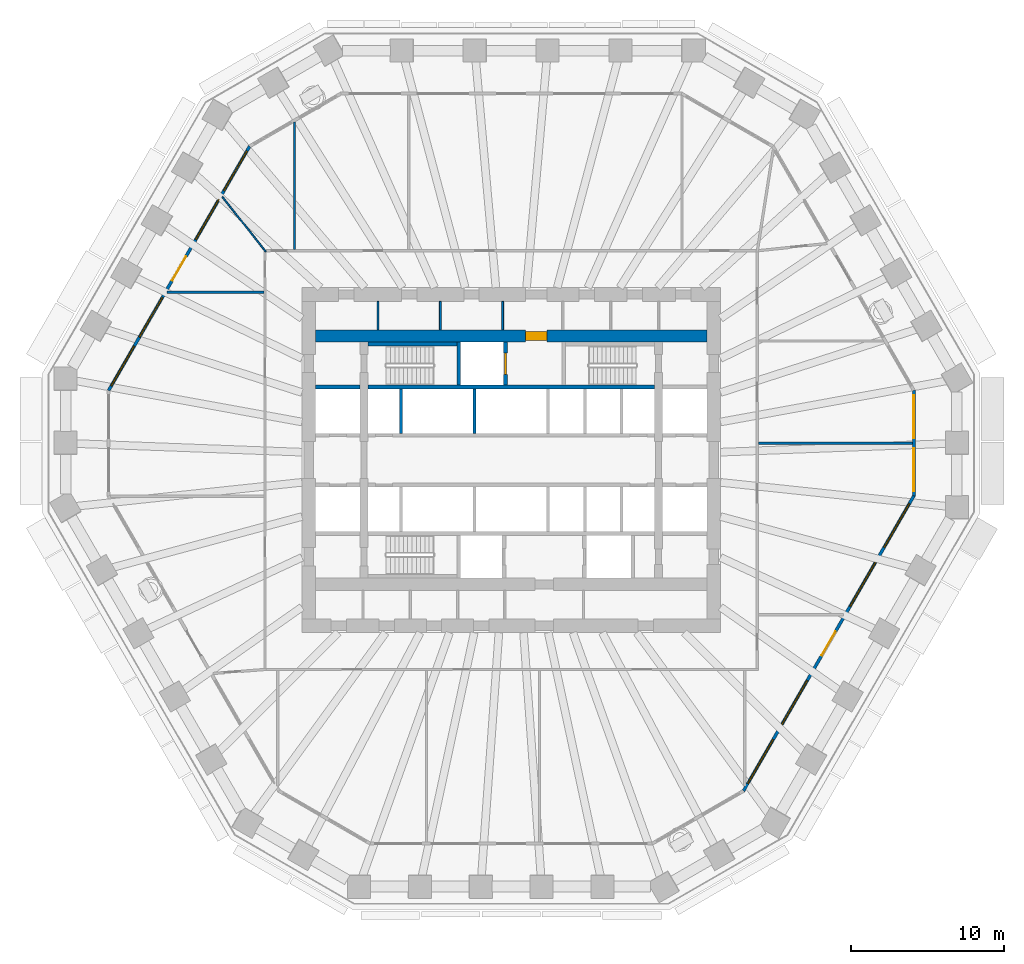
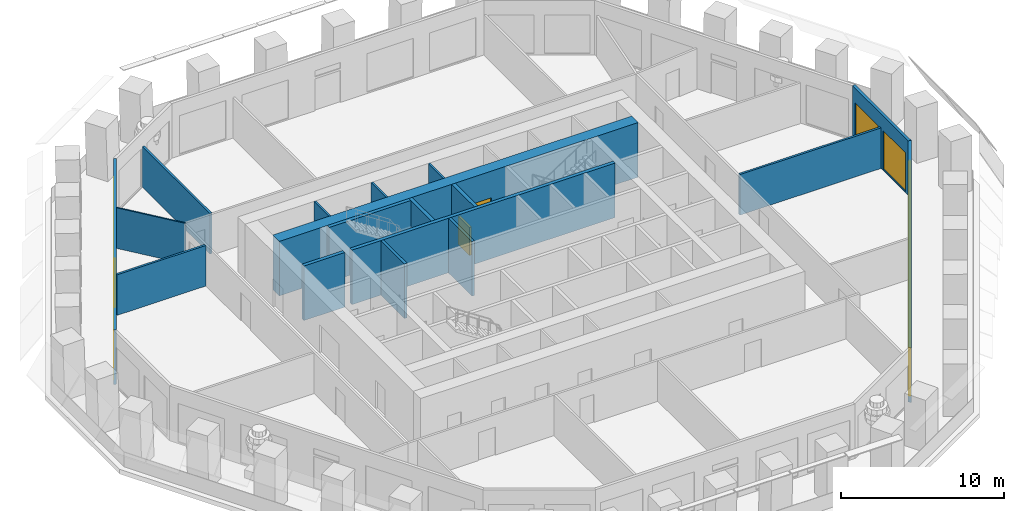
# One storey, part 6 of 12: 18 walls, 12 windows, 4 doors, 16 openings.
"""IFC4 building model written with IfcOpenShell, lengths in metres."""

import ifcopenshell
import ifcopenshell.guid

model = None  # the IFC model being written
_history = None  # IfcOwnerHistory: only IFC2X3 demands one
_inside = {}  # id of a spatial element -> (the spatial element, [elements in it])
_under = {}  # id of a project, library or spatial element -> (it, [spatial elements below it])
_declared = {}  # id of a project -> (the project, [libraries it declares])
_typed = {}  # id of a type object -> (the type object, [elements of that type])
_made_of = {}  # id of a material, layer set ... -> (it, [elements and type objects made of it])


def new_model(schema):
    """Start an empty IFC model of exactly this schema.

    Asked for "IFC4X3", IfcOpenShell would pick the latest addendum, in which some entities
    have other attributes; the version numbers below select the first issue.
    IFC2X3 requires an IfcOwnerHistory on every rooted entity: one is made here for all.
    """
    global model, _history
    if schema == "IFC4X3":
        model = ifcopenshell.file(schema_version=(4, 3, 0, 0))
    else:
        model = ifcopenshell.file(schema=schema)
    _inside.clear()
    _under.clear()
    _declared.clear()
    _typed.clear()
    _made_of.clear()
    _history = None
    if model.schema == "IFC2X3":
        org = make("IfcOrganization", Name="unknown")
        user = make(
            "IfcPersonAndOrganization",
            ThePerson=make("IfcPerson", FamilyName="unknown"),
            TheOrganization=org,
        )
        app = make(
            "IfcApplication",
            ApplicationDeveloper=org,
            Version="unknown",
            ApplicationFullName="unknown",
            ApplicationIdentifier="unknown",
        )
        _history = make(
            "IfcOwnerHistory",
            OwningUser=user,
            OwningApplication=app,
            ChangeAction="ADDED",
            CreationDate=0,
        )
    return model


def make(cls, **values):
    """One entity of the class cls with the attributes given. An attribute that is None is left unset."""
    return model.create_entity(
        cls, **{name: value for name, value in values.items() if value is not None}
    )


def rooted(cls, **values):
    """An entity with a GlobalId (a new one), such as an element, a storey or a relation."""
    return make(cls, GlobalId=ifcopenshell.guid.new(), OwnerHistory=_history, **values)


def si_unit(unit_type, name, prefix=None):
    """IfcSIUnit, for example si_unit("LENGTHUNIT", "METRE", prefix="MILLI")."""
    return make("IfcSIUnit", UnitType=unit_type, Prefix=prefix, Name=name)


def assignment(units):
    """IfcUnitAssignment: the units of a project."""
    return None if units is None else make("IfcUnitAssignment", Units=units)


def point(xyz):
    """IfcCartesianPoint."""
    return None if xyz is None else make("IfcCartesianPoint", Coordinates=xyz)


def direction(xyz):
    """IfcDirection."""
    return None if xyz is None else make("IfcDirection", DirectionRatios=xyz)


def frame(location, z_axis=None, x_axis=None):
    """IfcAxis2Placement3D, a coordinate frame: its origin and axes. An axis left out is left unset."""
    return make(
        "IfcAxis2Placement3D",
        Location=point(location),
        Axis=direction(z_axis),
        RefDirection=direction(x_axis),
    )


def frame_2d(location, x_axis=None):
    """IfcAxis2Placement2D, a coordinate frame in the plane: its origin and x axis."""
    return make(
        "IfcAxis2Placement2D", Location=point(location), RefDirection=direction(x_axis)
    )


def origin():
    """The frame at (0, 0, 0) with its axes left unset."""
    return frame((0.0, 0.0, 0.0))


def place(relative_to, where):
    """IfcLocalPlacement: puts the frame where relative to a parent placement (None: the world)."""
    return make(
        "IfcLocalPlacement", PlacementRelTo=relative_to, RelativePlacement=where
    )


def context(
    kind, dimensions, precision=None, world=None, true_north=None, identifier=None
):
    """IfcGeometricRepresentationContext, for example the 3D "Model" context."""
    return make(
        "IfcGeometricRepresentationContext",
        ContextIdentifier=identifier,
        ContextType=kind,
        CoordinateSpaceDimension=dimensions,
        Precision=precision,
        WorldCoordinateSystem=world,
        TrueNorth=true_north,
    )


def subcontext(parent, identifier, kind, view, scale=None):
    """IfcGeometricRepresentationSubContext, for example "Body" below "Model"."""
    return make(
        "IfcGeometricRepresentationSubContext",
        ContextIdentifier=identifier,
        ContextType=kind,
        ParentContext=parent,
        TargetScale=scale,
        TargetView=view,
    )


def project(units=None, contexts=None):
    """IfcProject with its units and contexts."""
    return rooted(
        "IfcProject",
        Name="project",
        RepresentationContexts=contexts,
        UnitsInContext=assignment(units),
    )


def spatial(cls, under=None, at=None, **own):
    """A site, building, storey or space (cls), placed at a placement, below another one or the project."""
    s = rooted(cls, ObjectPlacement=at, **own)
    if under is not None:
        _under.setdefault(under.id(), (under, []))[1].append(s)
    return s


def polyline(points):
    """IfcPolyline through the points."""
    return make("IfcPolyline", Points=[point(p) for p in points])


def profile(cls, at=None, kind="AREA", **sizes):
    """A parametric profile (cls). Its sizes go by their IFC names, for example OverallWidth=200.0."""
    return make(cls, ProfileType=kind, Position=at, **sizes)


def rectangle(**sizes):
    """IfcRectangleProfileDef."""
    return profile("IfcRectangleProfileDef", **sizes)


def outline(outer, holes=None, kind="AREA"):
    """IfcArbitraryClosedProfileDef: a profile drawn as a closed curve; with holes, ...WithVoids."""
    if holes is None:
        return make("IfcArbitraryClosedProfileDef", ProfileType=kind, OuterCurve=outer)
    return make(
        "IfcArbitraryProfileDefWithVoids",
        ProfileType=kind,
        OuterCurve=outer,
        InnerCurves=holes,
    )


def extrude(swept, where, along, depth):
    """IfcExtrudedAreaSolid: the profile swept, set in the frame where, extruded along a direction by depth."""
    return make(
        "IfcExtrudedAreaSolid",
        SweptArea=swept,
        Position=where,
        ExtrudedDirection=direction(along),
        Depth=depth,
    )


def shape(context_of_items, identifier, shape_type, items):
    """IfcShapeRepresentation: the items that make up one representation, for example the "Body"."""
    return make(
        "IfcShapeRepresentation",
        ContextOfItems=context_of_items,
        RepresentationIdentifier=identifier,
        RepresentationType=shape_type,
        Items=items,
    )


def material(Name=None, Category=None):
    """IfcMaterial."""
    return make("IfcMaterial", Name=Name, Category=Category)


def layer(
    of_material, thickness, ventilated=None, Name=None, Category=None, Priority=None
):
    """IfcMaterialLayer: one layer of a wall or slab, of a material (None: an air gap)."""
    return make(
        "IfcMaterialLayer",
        Material=of_material,
        LayerThickness=thickness,
        IsVentilated=ventilated,
        Name=Name,
        Category=Category,
        Priority=Priority,
    )


def layer_set(layers, Name=None):
    """IfcMaterialLayerSet."""
    return make("IfcMaterialLayerSet", MaterialLayers=layers, LayerSetName=Name)


def made_of(thing, what):
    """Note that an element or type object is made of a material, layer set ...; save() writes the relation."""
    if what is not None:
        _made_of.setdefault(what.id(), (what, []))[1].append(thing)
    return thing


def type_object(cls, material=None, **own):
    """A type object (cls), such as IfcWallType, which elements share."""
    return made_of(rooted(cls, **own), material)


def element(
    cls,
    number,
    at=None,
    inside=None,
    cuts=None,
    type_object=None,
    material=None,
    context=None,
    identifier="Body",
    shape_type=None,
    held_by="IfcProductDefinitionShape",
    body=None,
    shapes=None,
    **own,
):
    """One element of the class cls, such as IfcWall. Its Tag is "e" and its number.

    at: its placement. inside: the storey or other place that contains it. cuts: it is an
    opening in that element (IfcRelVoidsElement). A single representation is given by context,
    identifier, shape_type and body (its items); several are given by shapes. held_by: the class
    of the entity that holds the representations. save() writes the other relations.
    """
    e = rooted(cls, Tag="e%d" % number, ObjectPlacement=at, **own)
    if body is not None:
        shapes = [shape(context, identifier, shape_type, body)]
    if shapes is not None:
        e.Representation = make(held_by, Representations=shapes)
    if inside is not None:
        _inside.setdefault(inside.id(), (inside, []))[1].append(e)
    if cuts is not None:
        rooted(
            "IfcRelVoidsElement", RelatingBuildingElement=cuts, RelatedOpeningElement=e
        )
    if type_object is not None:
        _typed.setdefault(type_object.id(), (type_object, []))[1].append(e)
    return made_of(e, material)


def fill(opening, filler):
    """IfcRelFillsElement: the door or window that sits in an opening."""
    return rooted(
        "IfcRelFillsElement",
        RelatingOpeningElement=opening,
        RelatedBuildingElement=filler,
    )


def aggregate(whole, parts):
    """IfcRelAggregates: a whole, such as a stair, and the parts it consists of."""
    return rooted("IfcRelAggregates", RelatingObject=whole, RelatedObjects=parts)


def save(model, path):
    """Write the relations noted so far, then the file.

    IfcRelAggregates (storeys below a building ...), IfcRelContainedInSpatialStructure (elements
    in a storey), IfcRelDefinesByType, IfcRelAssociatesMaterial and IfcRelDeclares: one each for
    every whole, place, type object, material and project.
    """
    for whole, parts in _under.values():
        aggregate(whole, parts)
    for where, things in _inside.values():
        rooted(
            "IfcRelContainedInSpatialStructure",
            RelatedElements=things,
            RelatingStructure=where,
        )
    for kind, things in _typed.values():
        rooted("IfcRelDefinesByType", RelatedObjects=things, RelatingType=kind)
    for what, things in _made_of.values():
        rooted("IfcRelAssociatesMaterial", RelatedObjects=things, RelatingMaterial=what)
    for by, libraries in _declared.values():
        rooted("IfcRelDeclares", RelatingContext=by, RelatedDefinitions=libraries)
    model.write(path)


model = new_model("IFC4")

# Units and contexts
model_context = context("Model", 3, precision=1e-05, world=origin(), true_north=direction((0.0, 1.0)))
body_context = subcontext(model_context, "Body", "Model", "MODEL_VIEW")
ifc_project = project(units=[si_unit("LENGTHUNIT", "METRE"), si_unit("AREAUNIT", "SQUARE_METRE"), si_unit("VOLUMEUNIT", "CUBIC_METRE"), si_unit("PLANEANGLEUNIT", "RADIAN"), si_unit("MASSUNIT", "GRAM", prefix="KILO")], contexts=[model_context])

# Site, building, storey
site_placement = place(None, origin())
site = spatial("IfcSite", under=ifc_project, at=site_placement, CompositionType="ELEMENT")
building_placement = place(site_placement, origin())
building = spatial("IfcBuilding", under=site, at=building_placement, Name="Frailejon Research Tower", CompositionType="ELEMENT")
storey_placement = place(building_placement, frame((0.0, 0.0, 49.800048828125)))
storey = spatial("IfcBuildingStorey", under=building, at=storey_placement, Name="L11", CompositionType="ELEMENT", Elevation=49.800048828125)

# Walls
ifc_material_1 = material(Name="Plasterboard on steel studs", Category="steel")
ifc_layer_1 = layer(ifc_material_1, 0.125)
ifc_layer_set_1 = layer_set([ifc_layer_1], Name="Core partition 125")
wall_type_1 = type_object("IfcWallType", Name="Core partition 125", PredefinedType="PARTITIONING", material=ifc_layer_set_1)
for number, where, z_axis, x_axis, name in (
    (1, (-8.6875, 8.5, 0.0), (0.0, 0.0, 1.0), (0.0, 1.0, 0.0), "Core partition"),
    (2, (-4.625, 8.5, 0.0), (0.0, 0.0, 1.0), (0.0, 1.0, 0.0), "Core partition"),
    (3, (-0.5625, 8.5, 0.0), (0.0, 0.0, 1.0), (0.0, 1.0, 0.0), "Core partition"),
):
    element("IfcWall", number, at=place(storey_placement, frame(where, z_axis=z_axis, x_axis=x_axis)), inside=storey, type_object=wall_type_1, Name=name, PredefinedType="PARTITIONING", context=body_context, shape_type="SweptSolid", body=[
        extrude(rectangle(XDim=1.85009765625, YDim=0.125, at=frame_2d((0.925048828125, 0.0))), origin(), (0.0, 0.0, 1.0), 4.099853515625),
    ])

# Wall, opening, door
ifc_material_2 = material(Name="Concrete C70/85", Category="concrete")
ifc_layer_2 = layer(ifc_material_2, 0.800048828125)
ifc_layer_set_2 = layer_set([ifc_layer_2], Name="Core shear wall 800 C70/85")
wall_type_2 = type_object("IfcWallType", Name="Core shear wall 800 C70/85", PredefinedType="SHEAR", material=ifc_layer_set_2)
wall_1_placement = place(storey_placement, frame((-12.75, 8.10009765625, 0.0), z_axis=(0.0, 0.0, 1.0), x_axis=(1.0, 0.0, 0.0)))
wall_1 = element("IfcWall", 4, at=wall_1_placement, inside=storey, type_object=wall_type_2, Name="Core shear wall", PredefinedType="SHEAR", context=body_context, shape_type="SweptSolid", body=[
    extrude(rectangle(XDim=25.5, YDim=0.800048828125, at=frame_2d((12.75, 0.0))), origin(), (0.0, 0.0, 1.0), 4.099853515625),
])
opening_1_placement = place(wall_1_placement, frame((13.675048828125, 0.0, 0.0)))
opening_1 = element("IfcOpeningElement", 5, at=opening_1_placement, cuts=wall_1, Name="Opening D9", PredefinedType="OPENING", context=body_context, shape_type="SweptSolid", body=[
    extrude(rectangle(XDim=1.39990234375, YDim=2.10009765625, at=frame_2d((0.699951171875, 1.050048828125))), frame((0.0, 0.409912109375, 0.0), z_axis=(0.0, -1.0, 0.0), x_axis=(1.0, 0.0, 0.0)), (0.0, 0.0, 1.0), 0.820068359375),
])
ifc_material_3 = material(Name="Steel", Category="steel")
door_type_1 = type_object("IfcDoorType", Name="Goods lobby door", OperationType="DOUBLE_DOOR_SINGLE_SWING", PredefinedType="DOOR", material=ifc_material_3)
door_1_placement = place(opening_1_placement, origin())
door_1 = element("IfcDoor", 6, at=door_1_placement, inside=storey, type_object=door_type_1, Name="Goods lobby door", OperationType="DOUBLE_DOOR_SINGLE_SWING", OverallHeight=2.10009765625, OverallWidth=1.39990234375, PredefinedType="DOOR", context=body_context, shape_type="SweptSolid", body=[
    extrude(rectangle(XDim=1.39990234375, YDim=2.10009765625, at=frame_2d((0.699951171875, 1.050048828125))), frame((0.0, 0.300048828125, 0.0), z_axis=(0.0, -1.0, 0.0), x_axis=(1.0, 0.0, 0.0)), (0.0, 0.0, 1.0), 0.60009765625),
])
fill(opening_1, door_1)

# Walls
ifc_material_4 = material(Name="Gypsum board and masonry partition", Category="masonry")
ifc_layer_3 = layer(ifc_material_4, 0.14990234375)
ifc_layer_set_3 = layer_set([ifc_layer_3], Name="Laboratory partition, blockwork 150")
wall_type_3 = type_object("IfcWallType", Name="Laboratory partition, blockwork 150", PredefinedType="PARTITIONING", material=ifc_layer_set_3)
wall_2_placement = place(storey_placement, frame((16.125, 1.106201171875, 0.0), z_axis=(0.0, 0.0, 1.0), x_axis=(1.0, 0.0, 0.0)))
element("IfcWall", 7, at=wall_2_placement, inside=storey, type_object=wall_type_3, Name="T:IW:L11:006", PredefinedType="PARTITIONING", context=body_context, shape_type="SweptSolid", body=[
    extrude(rectangle(XDim=10.026611328125, YDim=0.14990234375, at=frame_2d((5.01318359375, 0.0))), origin(), (0.0, 0.0, 1.0), 3.050048828125),
])
wall_3_placement = place(storey_placement, frame((-14.1337890625, 13.72509765625, 0.0), z_axis=(0.0, 0.0, 1.0), x_axis=(0.0, 1.0, 0.0)))
element("IfcWall", 8, at=wall_3_placement, inside=storey, type_object=wall_type_3, Name="T:IW:L11:011", PredefinedType="PARTITIONING", context=body_context, shape_type="SweptSolid", body=[
    extrude(rectangle(XDim=8.31201171875, YDim=0.14990234375, at=frame_2d((4.156005859375, 0.0))), origin(), (0.0, 0.0, 1.0), 3.050048828125),
])
wall_4_placement = place(storey_placement, frame((-22.433349609375, 10.95654296875, 0.0), z_axis=(0.0, 0.0, 1.0), x_axis=(1.0, 0.0, 0.0)))
element("IfcWall", 9, at=wall_4_placement, inside=storey, type_object=wall_type_3, Name="T:IW:L11:012", PredefinedType="PARTITIONING", context=body_context, shape_type="SweptSolid", body=[
    extrude(rectangle(XDim=6.308349609375, YDim=0.14990234375, at=frame_2d((3.154296875, 0.0))), origin(), (0.0, 0.0, 1.0), 3.050048828125),
])
ifc_material_5 = material(Name="Gypsum board and masonry partition", Category="masonry")
ifc_layer_4 = layer(ifc_material_5, 0.10009765625)
ifc_layer_set_4 = layer_set([ifc_layer_4], Name="Partition, gypsum on steel studs 100")
wall_type_4 = type_object("IfcWallType", Name="Partition, gypsum on steel studs 100", PredefinedType="PARTITIONING", material=ifc_layer_set_4)
wall_5_placement = place(storey_placement, frame((-18.84375, 17.17431640625, 0.0), z_axis=(0.0, 0.0, 1.0), x_axis=(0.621211587881, -0.783642879813, 0.0)))
element("IfcWall", 10, at=wall_5_placement, inside=storey, type_object=wall_type_4, Name="T:IW:L11:020", PredefinedType="PARTITIONING", context=body_context, shape_type="SweptSolid", body=[
    extrude(rectangle(XDim=4.572265625, YDim=0.10009765625, at=frame_2d((2.2861328125, 0.0))), origin(), (0.0, 0.0, 1.0), 3.050048828125),
])
ifc_material_6 = material(Name="Concrete C70/85", Category="concrete")
ifc_layer_5 = layer(ifc_material_6, 0.199951171875)
ifc_layer_set_5 = layer_set([ifc_layer_5], Name="Shaft wall 200 C70/85")
wall_type_5 = type_object("IfcWallType", Name="Shaft wall 200 C70/85", PredefinedType="SOLIDWALL", material=ifc_layer_set_5)
for number, where, z_axis, x_axis, name in (
    (11, (-7.199951171875, 1.75, 0.0), (0.0, 0.0, 1.0), (0.0, 1.0, 0.0), "Shaft wall"),
    (12, (-2.39990234375, 1.75, 0.0), (0.0, 0.0, 1.0), (0.0, 1.0, 0.0), "Shaft wall"),
):
    element("IfcWall", number, at=place(storey_placement, frame(where, z_axis=z_axis, x_axis=x_axis)), inside=storey, type_object=wall_type_5, Name=name, PredefinedType="SOLIDWALL", context=body_context, shape_type="SweptSolid", body=[
        extrude(rectangle(XDim=2.89990234375, YDim=0.199951171875, at=frame_2d((1.449951171875, 0.0))), origin(), (0.0, 0.0, 1.0), 4.099853515625),
    ])
ifc_material_7 = material(Name="Concrete C70/85", Category="concrete")
ifc_layer_6 = layer(ifc_material_7, 0.25)
ifc_layer_set_6 = layer_set([ifc_layer_6], Name="Shaft wall 250 C70/85")
wall_type_6 = type_object("IfcWallType", Name="Shaft wall 250 C70/85", PredefinedType="SOLIDWALL", material=ifc_layer_set_6)
wall_6_placement = place(storey_placement, frame((-12.75, 4.77490234375, 0.0), z_axis=(0.0, 0.0, 1.0), x_axis=(1.0, 0.0, 0.0)))
element("IfcWall", 13, at=wall_6_placement, inside=storey, type_object=wall_type_6, Name="Shaft wall", PredefinedType="SOLIDWALL", context=body_context, shape_type="SweptSolid", body=[
    extrude(rectangle(XDim=2.89990234375, YDim=0.25, at=frame_2d((1.449951171875, 0.0))), origin(), (0.0, 0.0, 1.0), 4.099853515625),
])
wall_7_placement = place(storey_placement, frame((-9.35009765625, 4.77490234375, 0.0), z_axis=(0.0, 0.0, 1.0), x_axis=(1.0, 0.0, 0.0)))
element("IfcWall", 14, at=wall_7_placement, inside=storey, type_object=wall_type_6, Name="Shaft wall", PredefinedType="SOLIDWALL", context=body_context, shape_type="SweptSolid", body=[
    extrude(rectangle(XDim=18.7001953125, YDim=0.25, at=frame_2d((9.35009765625, 0.0))), origin(), (0.0, 0.0, 1.0), 4.099853515625),
])
wall_8_placement = place(storey_placement, frame((-9.35009765625, 7.574951171875, 0.0), z_axis=(0.0, 0.0, 1.0), x_axis=(1.0, 0.0, 0.0)))
element("IfcWall", 15, at=wall_8_placement, inside=storey, type_object=wall_type_6, Name="Shaft wall", PredefinedType="SOLIDWALL", context=body_context, shape_type="SweptSolid", body=[
    extrude(rectangle(XDim=5.800048828125, YDim=0.25, at=frame_2d((2.89990234375, 0.0))), origin(), (0.0, 0.0, 1.0), 4.099853515625),
])
wall_9_placement = place(storey_placement, frame((-3.425048828125, 4.89990234375, 0.0), z_axis=(0.0, 0.0, 1.0), x_axis=(0.0, 1.0, 0.0)))
element("IfcWall", 16, at=wall_9_placement, inside=storey, type_object=wall_type_6, Name="Shaft wall", PredefinedType="SOLIDWALL", context=body_context, shape_type="SweptSolid", body=[
    extrude(rectangle(XDim=2.800048828125, YDim=0.25, at=frame_2d((1.39990234375, 0.0))), origin(), (0.0, 0.0, 1.0), 4.099853515625),
])

# Wall, opening, door
wall_10_placement = place(storey_placement, frame((-0.375, 4.89990234375, 0.0), z_axis=(0.0, 0.0, 1.0), x_axis=(0.0, 1.0, 0.0)))
wall_10 = element("IfcWall", 17, at=wall_10_placement, inside=storey, type_object=wall_type_6, Name="Shaft wall", PredefinedType="SOLIDWALL", context=body_context, shape_type="SweptSolid", body=[
    extrude(rectangle(XDim=2.800048828125, YDim=0.25, at=frame_2d((1.39990234375, 0.0))), origin(), (0.0, 0.0, 1.0), 4.099853515625),
])
opening_2_placement = place(wall_10_placement, frame((0.699951171875, 0.0, 0.0)))
opening_2 = element("IfcOpeningElement", 18, at=opening_2_placement, cuts=wall_10, Name="Opening LD2", PredefinedType="OPENING", context=body_context, shape_type="SweptSolid", body=[
    extrude(rectangle(XDim=1.39990234375, YDim=2.10009765625, at=frame_2d((0.699951171875, 1.050048828125))), frame((0.0, 0.135009765625, 0.0), z_axis=(0.0, -1.0, 0.0), x_axis=(1.0, 0.0, 0.0)), (0.0, 0.0, 1.0), 0.27001953125),
])
ifc_material_8 = material(Name="Stainless steel", Category="steel")
door_type_2 = type_object("IfcDoorType", Name="Goods landing door", OperationType="DOUBLE_DOOR_SLIDING", PredefinedType="DOOR", material=ifc_material_8)
door_2_placement = place(opening_2_placement, origin())
door_2 = element("IfcDoor", 19, at=door_2_placement, inside=storey, type_object=door_type_2, Name="Lift landing door", OperationType="DOUBLE_DOOR_SLIDING", OverallHeight=2.10009765625, OverallWidth=1.39990234375, PredefinedType="DOOR", context=body_context, shape_type="SweptSolid", body=[
    extrude(rectangle(XDim=1.39990234375, YDim=2.10009765625, at=frame_2d((0.699951171875, 1.050048828125))), frame((0.0, 0.074951171875, 0.0), z_axis=(0.0, -1.0, 0.0), x_axis=(1.0, 0.0, 0.0)), (0.0, 0.0, 1.0), 0.14990234375),
])
fill(opening_2, door_2)

# Wall, openings, windows
ifc_material_9 = material(Name="Concrete C40/50 precast window wall panel", Category="concrete")
ifc_layer_7 = layer(ifc_material_9, 0.199951171875)
ifc_layer_set_7 = layer_set([ifc_layer_7], Name="Window wall 200")
wall_type_7 = type_object("IfcWallType", Name="Window wall 200", PredefinedType="SOLIDWALL", material=ifc_layer_set_7)
wall_11_placement = place(storey_placement, frame((26.25146484375, -2.3310546875, 0.0), z_axis=(0.0, 0.0, 1.0), x_axis=(0.0, 1.0, 0.0)))
wall_11 = element("IfcWall", 20, at=wall_11_placement, inside=storey, type_object=wall_type_7, Name="Exterior wall L11", PredefinedType="SOLIDWALL", context=body_context, shape_type="SweptSolid", body=[
    extrude(outline(polyline([(-0.02685546875, -0.10009765625), (1.1279296875, -0.10009765625), (2.282470703125, -0.10009765625), (3.437255859375, -0.10009765625), (4.592041015625, -0.10009765625), (5.74658203125, -0.10009765625), (6.9013671875, -0.10009765625), (6.84765625, 0.10009765625), (5.7109375, 0.10009765625), (4.573974609375, 0.10009765625), (3.437255859375, 0.10009765625), (2.300537109375, 0.10009765625), (1.16357421875, 0.10009765625), (0.02685546875, 0.10009765625), (-0.02685546875, -0.10009765625)])), origin(), (0.0, 0.0, 1.0), 4.099853515625),
])
opening_3_placement = place(wall_11_placement, frame((0.318603515625, 0.0, 0.10009765625)))
opening_3 = element("IfcOpeningElement", 21, at=opening_3_placement, cuts=wall_11, Name="Opening W3", PredefinedType="OPENING", context=body_context, shape_type="SweptSolid", body=[
    extrude(rectangle(XDim=2.800048828125, YDim=2.89990234375, at=frame_2d((1.39990234375, 1.449951171875))), frame((0.0, 0.10986328125, 0.0), z_axis=(0.0, -1.0, 0.0), x_axis=(1.0, 0.0, 0.0)), (0.0, 0.0, 1.0), 0.219970703125),
])
opening_4_placement = place(wall_11_placement, frame((3.756103515625, 0.0, 0.10009765625)))
opening_4 = element("IfcOpeningElement", 22, at=opening_4_placement, cuts=wall_11, Name="Opening W3", PredefinedType="OPENING", context=body_context, shape_type="SweptSolid", body=[
    extrude(rectangle(XDim=2.800048828125, YDim=2.89990234375, at=frame_2d((1.39990234375, 1.449951171875))), frame((0.0, 0.10986328125, 0.0), z_axis=(0.0, -1.0, 0.0), x_axis=(1.0, 0.0, 0.0)), (0.0, 0.0, 1.0), 0.219970703125),
])
ifc_material_10 = material(Name="Aluminium framed double glazing", Category="aluminium")
window_type_1 = type_object("IfcWindowType", Name="Window 2800x2900", PartitioningType="SINGLE_PANEL", PredefinedType="WINDOW", material=ifc_material_10)
window_1_placement = place(opening_3_placement, origin())
window_1 = element("IfcWindow", 23, at=window_1_placement, inside=storey, type_object=window_type_1, Name="Window L11", OverallHeight=2.89990234375, OverallWidth=2.800048828125, PartitioningType="SINGLE_PANEL", PredefinedType="WINDOW", context=body_context, shape_type="SweptSolid", body=[
    extrude(rectangle(XDim=2.800048828125, YDim=2.89990234375, at=frame_2d((1.39990234375, 1.449951171875))), frame((0.0, 0.030029296875, 0.0), z_axis=(0.0, -1.0, 0.0), x_axis=(1.0, 0.0, 0.0)), (0.0, 0.0, 1.0), 0.06005859375),
])
fill(opening_3, window_1)
window_2_placement = place(opening_4_placement, origin())
window_2 = element("IfcWindow", 24, at=window_2_placement, inside=storey, type_object=window_type_1, Name="Window L11", OverallHeight=2.89990234375, OverallWidth=2.800048828125, PartitioningType="SINGLE_PANEL", PredefinedType="WINDOW", context=body_context, shape_type="SweptSolid", body=[
    extrude(rectangle(XDim=2.800048828125, YDim=2.89990234375, at=frame_2d((1.39990234375, 1.449951171875))), frame((0.0, 0.030029296875, 0.0), z_axis=(0.0, -1.0, 0.0), x_axis=(1.0, 0.0, 0.0)), (0.0, 0.0, 1.0), 0.06005859375),
])
fill(opening_4, window_2)

# Wall, openings, door, windows
wall_12_placement = place(storey_placement, frame((-17.060546875, 20.462646484375, 0.0), z_axis=(0.0, 0.0, 1.0), x_axis=(-0.499998761798, -0.866026118659, 0.0)))
wall_12 = element("IfcWall", 25, at=wall_12_placement, inside=storey, type_object=wall_type_7, Name="Exterior wall L11", PredefinedType="SOLIDWALL", context=body_context, shape_type="SweptSolid", body=[
    extrude(outline(polyline([(-0.02685546875, -0.10009765625), (0.997314453125, -0.10009765625), (2.021484375, -0.10009765625), (3.045654296875, -0.10009765625), (4.06982421875, -0.10009765625), (5.09423828125, -0.10009765625), (6.118408203125, -0.10009765625), (7.142578125, -0.10009765625), (8.166748046875, -0.10009765625), (9.19091796875, -0.10009765625), (10.215087890625, -0.10009765625), (11.2392578125, -0.10009765625), (12.263427734375, -0.10009765625), (13.28759765625, -0.10009765625), (14.31201171875, -0.10009765625), (15.336181640625, -0.10009765625), (16.3603515625, -0.10009765625), (17.384521484375, -0.10009765625), (18.40869140625, -0.10009765625), (18.35498046875, 0.10009765625), (17.336669921875, 0.10009765625), (16.318603515625, 0.10009765625), (15.30029296875, 0.10009765625), (14.281982421875, 0.10009765625), (13.263916015625, 0.10009765625), (12.24560546875, 0.10009765625), (11.227294921875, 0.10009765625), (10.209228515625, 0.10009765625), (9.19091796875, 0.10009765625), (8.172607421875, 0.10009765625), (7.154541015625, 0.10009765625), (6.13623046875, 0.10009765625), (5.117919921875, 0.10009765625), (4.099853515625, 0.10009765625), (3.08154296875, 0.10009765625), (2.063232421875, 0.10009765625), (1.045166015625, 0.10009765625), (0.02685546875, 0.10009765625), (-0.02685546875, -0.10009765625)])), origin(), (0.0, 0.0, 1.0), 4.099853515625),
])
opening_5_placement = place(wall_12_placement, frame((0.338134765625, 0.0, 0.10009765625)))
opening_5 = element("IfcOpeningElement", 26, at=opening_5_placement, cuts=wall_12, Name="Opening W4", PredefinedType="OPENING", context=body_context, shape_type="SweptSolid", body=[
    extrude(rectangle(XDim=3.0, YDim=2.89990234375, at=frame_2d((1.5, 1.449951171875))), frame((0.0, 0.10986328125, 0.0), z_axis=(0.0, -1.0, 0.0), x_axis=(1.0, 0.0, 0.0)), (0.0, 0.0, 1.0), 0.219970703125),
])
opening_6_placement = place(wall_12_placement, frame((4.0146484375, 0.0, 0.10009765625)))
opening_6 = element("IfcOpeningElement", 27, at=opening_6_placement, cuts=wall_12, Name="Opening W4", PredefinedType="OPENING", context=body_context, shape_type="SweptSolid", body=[
    extrude(rectangle(XDim=3.0, YDim=2.89990234375, at=frame_2d((1.5, 1.449951171875))), frame((0.0, 0.10986328125, 0.0), z_axis=(0.0, -1.0, 0.0), x_axis=(1.0, 0.0, 0.0)), (0.0, 0.0, 1.0), 0.219970703125),
])
opening_7_placement = place(wall_12_placement, frame((8.291015625, 0.0, 0.0)))
opening_7 = element("IfcOpeningElement", 28, at=opening_7_placement, cuts=wall_12, Name="Opening LG11-3", PredefinedType="OPENING", context=body_context, shape_type="SweptSolid", body=[
    extrude(rectangle(XDim=1.800048828125, YDim=2.39990234375, at=frame_2d((0.89990234375, 1.199951171875))), frame((0.0, 0.10986328125, 0.0), z_axis=(0.0, -1.0, 0.0), x_axis=(1.0, 0.0, 0.0)), (0.0, 0.0, 1.0), 0.219970703125),
])
opening_8_placement = place(wall_12_placement, frame((8.291015625, 0.0, 2.550048828125)))
opening_8 = element("IfcOpeningElement", 29, at=opening_8_placement, cuts=wall_12, Name="Opening W1", PredefinedType="OPENING", context=body_context, shape_type="SweptSolid", body=[
    extrude(rectangle(XDim=1.800048828125, YDim=0.449951171875, at=frame_2d((0.89990234375, 0.22509765625))), frame((0.0, 0.10986328125, 0.0), z_axis=(0.0, -1.0, 0.0), x_axis=(1.0, 0.0, 0.0)), (0.0, 0.0, 1.0), 0.219970703125),
])
opening_9_placement = place(wall_12_placement, frame((11.3671875, 0.0, 0.10009765625)))
opening_9 = element("IfcOpeningElement", 30, at=opening_9_placement, cuts=wall_12, Name="Opening W4", PredefinedType="OPENING", context=body_context, shape_type="SweptSolid", body=[
    extrude(rectangle(XDim=3.0, YDim=2.89990234375, at=frame_2d((1.5, 1.449951171875))), frame((0.0, 0.10986328125, 0.0), z_axis=(0.0, -1.0, 0.0), x_axis=(1.0, 0.0, 0.0)), (0.0, 0.0, 1.0), 0.219970703125),
])
opening_10_placement = place(wall_12_placement, frame((15.043701171875, 0.0, 0.10009765625)))
opening_10 = element("IfcOpeningElement", 31, at=opening_10_placement, cuts=wall_12, Name="Opening W4", PredefinedType="OPENING", context=body_context, shape_type="SweptSolid", body=[
    extrude(rectangle(XDim=3.0, YDim=2.89990234375, at=frame_2d((1.5, 1.449951171875))), frame((0.0, 0.10986328125, 0.0), z_axis=(0.0, -1.0, 0.0), x_axis=(1.0, 0.0, 0.0)), (0.0, 0.0, 1.0), 0.219970703125),
])
ifc_material_11 = material(Name="Aluminium framed glazed door leaf", Category="aluminium")
door_type_3 = type_object("IfcDoorType", Name="Loggia door 1800x2400", OperationType="DOUBLE_DOOR_SINGLE_SWING", PredefinedType="DOOR", material=ifc_material_11)
door_3_placement = place(opening_7_placement, origin())
door_3 = element("IfcDoor", 32, at=door_3_placement, inside=storey, type_object=door_type_3, Name="Door LG11-3", OperationType="DOUBLE_DOOR_SINGLE_SWING", OverallHeight=2.39990234375, OverallWidth=1.800048828125, PredefinedType="DOOR", context=body_context, shape_type="SweptSolid", body=[
    extrude(rectangle(XDim=1.800048828125, YDim=2.39990234375, at=frame_2d((0.89990234375, 1.199951171875))), frame((0.0, 0.02490234375, 0.0), z_axis=(0.0, -1.0, 0.0), x_axis=(1.0, 0.0, 0.0)), (0.0, 0.0, 1.0), 0.050048828125),
])
fill(opening_7, door_3)
ifc_material_12 = material(Name="Aluminium framed double glazing", Category="aluminium")
window_type_2 = type_object("IfcWindowType", Name="Window 1800x450", PartitioningType="SINGLE_PANEL", PredefinedType="WINDOW", material=ifc_material_12)
window_3_placement = place(opening_8_placement, origin())
window_3 = element("IfcWindow", 33, at=window_3_placement, inside=storey, type_object=window_type_2, Name="Window L11", OverallHeight=0.449951171875, OverallWidth=1.800048828125, PartitioningType="SINGLE_PANEL", PredefinedType="WINDOW", context=body_context, shape_type="SweptSolid", body=[
    extrude(rectangle(XDim=1.800048828125, YDim=0.449951171875, at=frame_2d((0.89990234375, 0.22509765625))), frame((0.0, 0.030029296875, 0.0), z_axis=(0.0, -1.0, 0.0), x_axis=(1.0, 0.0, 0.0)), (0.0, 0.0, 1.0), 0.06005859375),
])
fill(opening_8, window_3)
ifc_material_13 = material(Name="Aluminium framed double glazing", Category="aluminium")
window_type_3 = type_object("IfcWindowType", Name="Window 3000x2900", PartitioningType="SINGLE_PANEL", PredefinedType="WINDOW", material=ifc_material_13)
window_4_placement = place(opening_5_placement, origin())
window_4 = element("IfcWindow", 34, at=window_4_placement, inside=storey, type_object=window_type_3, Name="Window L11", OverallHeight=2.89990234375, OverallWidth=3.0, PartitioningType="SINGLE_PANEL", PredefinedType="WINDOW", context=body_context, shape_type="SweptSolid", body=[
    extrude(rectangle(XDim=3.0, YDim=2.89990234375, at=frame_2d((1.5, 1.449951171875))), frame((0.0, 0.030029296875, 0.0), z_axis=(0.0, -1.0, 0.0), x_axis=(1.0, 0.0, 0.0)), (0.0, 0.0, 1.0), 0.06005859375),
])
fill(opening_5, window_4)
window_5_placement = place(opening_6_placement, origin())
window_5 = element("IfcWindow", 35, at=window_5_placement, inside=storey, type_object=window_type_3, Name="Window L11", OverallHeight=2.89990234375, OverallWidth=3.0, PartitioningType="SINGLE_PANEL", PredefinedType="WINDOW", context=body_context, shape_type="SweptSolid", body=[
    extrude(rectangle(XDim=3.0, YDim=2.89990234375, at=frame_2d((1.5, 1.449951171875))), frame((0.0, 0.030029296875, 0.0), z_axis=(0.0, -1.0, 0.0), x_axis=(1.0, 0.0, 0.0)), (0.0, 0.0, 1.0), 0.06005859375),
])
fill(opening_6, window_5)
window_6_placement = place(opening_9_placement, origin())
window_6 = element("IfcWindow", 36, at=window_6_placement, inside=storey, type_object=window_type_3, Name="Window L11", OverallHeight=2.89990234375, OverallWidth=3.0, PartitioningType="SINGLE_PANEL", PredefinedType="WINDOW", context=body_context, shape_type="SweptSolid", body=[
    extrude(rectangle(XDim=3.0, YDim=2.89990234375, at=frame_2d((1.5, 1.449951171875))), frame((0.0, 0.030029296875, 0.0), z_axis=(0.0, -1.0, 0.0), x_axis=(1.0, 0.0, 0.0)), (0.0, 0.0, 1.0), 0.06005859375),
])
fill(opening_9, window_6)
window_7_placement = place(opening_10_placement, origin())
window_7 = element("IfcWindow", 37, at=window_7_placement, inside=storey, type_object=window_type_3, Name="Window L11", OverallHeight=2.89990234375, OverallWidth=3.0, PartitioningType="SINGLE_PANEL", PredefinedType="WINDOW", context=body_context, shape_type="SweptSolid", body=[
    extrude(rectangle(XDim=3.0, YDim=2.89990234375, at=frame_2d((1.5, 1.449951171875))), frame((0.0, 0.030029296875, 0.0), z_axis=(0.0, -1.0, 0.0), x_axis=(1.0, 0.0, 0.0)), (0.0, 0.0, 1.0), 0.06005859375),
])
fill(opening_10, window_7)

wall_13_placement = place(storey_placement, frame((15.14453125, -21.56884765625, 0.0), z_axis=(0.0, 0.0, 1.0), x_axis=(0.499999616612, 0.866025625133, 0.0)))
wall_13 = element("IfcWall", 38, at=wall_13_placement, inside=storey, type_object=wall_type_7, Name="Exterior wall L11", PredefinedType="SOLIDWALL", context=body_context, shape_type="SweptSolid", body=[
    extrude(outline(polyline([(-0.02685546875, -0.10009765625), (0.9853515625, -0.10009765625), (1.99755859375, -0.10009765625), (3.009521484375, -0.10009765625), (4.021728515625, -0.10009765625), (5.033935546875, -0.10009765625), (6.046142578125, -0.10009765625), (7.058349609375, -0.10009765625), (8.070556640625, -0.10009765625), (9.08251953125, -0.10009765625), (10.0947265625, -0.10009765625), (11.10693359375, -0.10009765625), (12.119140625, -0.10009765625), (13.13134765625, -0.10009765625), (14.143310546875, -0.10009765625), (15.155517578125, -0.10009765625), (16.167724609375, -0.10009765625), (17.179931640625, -0.10009765625), (18.192138671875, -0.10009765625), (19.204345703125, -0.10009765625), (20.21630859375, -0.10009765625), (21.228515625, -0.10009765625), (22.24072265625, -0.10009765625), (22.18701171875, 0.10009765625), (21.1796875, 0.10009765625), (20.17236328125, 0.10009765625), (19.165283203125, 0.10009765625), (18.157958984375, 0.10009765625), (17.150634765625, 0.10009765625), (16.143310546875, 0.10009765625), (15.135986328125, 0.10009765625), (14.128662109375, 0.10009765625), (13.12158203125, 0.10009765625), (12.1142578125, 0.10009765625), (11.10693359375, 0.10009765625), (10.099609375, 0.10009765625), (9.09228515625, 0.10009765625), (8.085205078125, 0.10009765625), (7.077880859375, 0.10009765625), (6.070556640625, 0.10009765625), (5.063232421875, 0.10009765625), (4.055908203125, 0.10009765625), (3.048583984375, 0.10009765625), (2.04150390625, 0.10009765625), (1.0341796875, 0.10009765625), (0.02685546875, 0.10009765625), (-0.02685546875, -0.10009765625)])), origin(), (0.0, 0.0, 1.0), 4.099853515625),
])
opening_11_placement = place(wall_13_placement, frame((0.5712890625, 0.0, 0.10009765625)))
opening_11 = element("IfcOpeningElement", 39, at=opening_11_placement, cuts=wall_13, Name="Opening W5", PredefinedType="OPENING", context=body_context, shape_type="SweptSolid", body=[
    extrude(rectangle(XDim=3.300048828125, YDim=2.89990234375, at=frame_2d((1.64990234375, 1.449951171875))), frame((0.0, 0.10986328125, 0.0), z_axis=(0.0, -1.0, 0.0), x_axis=(1.0, 0.0, 0.0)), (0.0, 0.0, 1.0), 0.219970703125),
])
opening_12_placement = place(wall_13_placement, frame((5.01416015625, 0.0, 0.10009765625)))
opening_12 = element("IfcOpeningElement", 40, at=opening_12_placement, cuts=wall_13, Name="Opening W5", PredefinedType="OPENING", context=body_context, shape_type="SweptSolid", body=[
    extrude(rectangle(XDim=3.300048828125, YDim=2.89990234375, at=frame_2d((1.64990234375, 1.449951171875))), frame((0.0, 0.10986328125, 0.0), z_axis=(0.0, -1.0, 0.0), x_axis=(1.0, 0.0, 0.0)), (0.0, 0.0, 1.0), 0.219970703125),
])
opening_13_placement = place(wall_13_placement, frame((10.206787109375, 0.0, 0.0)))
opening_13 = element("IfcOpeningElement", 41, at=opening_13_placement, cuts=wall_13, Name="Opening LG11-6", PredefinedType="OPENING", context=body_context, shape_type="SweptSolid", body=[
    extrude(rectangle(XDim=1.800048828125, YDim=2.39990234375, at=frame_2d((0.89990234375, 1.199951171875))), frame((0.0, 0.10986328125, 0.0), z_axis=(0.0, -1.0, 0.0), x_axis=(1.0, 0.0, 0.0)), (0.0, 0.0, 1.0), 0.219970703125),
])
opening_14_placement = place(wall_13_placement, frame((10.206787109375, 0.0, 2.550048828125)))
opening_14 = element("IfcOpeningElement", 42, at=opening_14_placement, cuts=wall_13, Name="Opening W1", PredefinedType="OPENING", context=body_context, shape_type="SweptSolid", body=[
    extrude(rectangle(XDim=1.800048828125, YDim=0.449951171875, at=frame_2d((0.89990234375, 0.22509765625))), frame((0.0, 0.10986328125, 0.0), z_axis=(0.0, -1.0, 0.0), x_axis=(1.0, 0.0, 0.0)), (0.0, 0.0, 1.0), 0.219970703125),
])
opening_15_placement = place(wall_13_placement, frame((13.899658203125, 0.0, 0.10009765625)))
opening_15 = element("IfcOpeningElement", 43, at=opening_15_placement, cuts=wall_13, Name="Opening W5", PredefinedType="OPENING", context=body_context, shape_type="SweptSolid", body=[
    extrude(rectangle(XDim=3.300048828125, YDim=2.89990234375, at=frame_2d((1.64990234375, 1.449951171875))), frame((0.0, 0.10986328125, 0.0), z_axis=(0.0, -1.0, 0.0), x_axis=(1.0, 0.0, 0.0)), (0.0, 0.0, 1.0), 0.219970703125),
])
opening_16_placement = place(wall_13_placement, frame((18.342529296875, 0.0, 0.10009765625)))
opening_16 = element("IfcOpeningElement", 44, at=opening_16_placement, cuts=wall_13, Name="Opening W5", PredefinedType="OPENING", context=body_context, shape_type="SweptSolid", body=[
    extrude(rectangle(XDim=3.300048828125, YDim=2.89990234375, at=frame_2d((1.64990234375, 1.449951171875))), frame((0.0, 0.10986328125, 0.0), z_axis=(0.0, -1.0, 0.0), x_axis=(1.0, 0.0, 0.0)), (0.0, 0.0, 1.0), 0.219970703125),
])
door_4_placement = place(opening_13_placement, origin())
door_4 = element("IfcDoor", 45, at=door_4_placement, inside=storey, type_object=door_type_3, Name="Door LG11-6", OperationType="DOUBLE_DOOR_SINGLE_SWING", OverallHeight=2.39990234375, OverallWidth=1.800048828125, PredefinedType="DOOR", context=body_context, shape_type="SweptSolid", body=[
    extrude(rectangle(XDim=1.800048828125, YDim=2.39990234375, at=frame_2d((0.89990234375, 1.199951171875))), frame((0.0, 0.02490234375, 0.0), z_axis=(0.0, -1.0, 0.0), x_axis=(1.0, 0.0, 0.0)), (0.0, 0.0, 1.0), 0.050048828125),
])
fill(opening_13, door_4)
window_8_placement = place(opening_14_placement, origin())
window_8 = element("IfcWindow", 46, at=window_8_placement, inside=storey, type_object=window_type_2, Name="Window L11", OverallHeight=0.449951171875, OverallWidth=1.800048828125, PartitioningType="SINGLE_PANEL", PredefinedType="WINDOW", context=body_context, shape_type="SweptSolid", body=[
    extrude(rectangle(XDim=1.800048828125, YDim=0.449951171875, at=frame_2d((0.89990234375, 0.22509765625))), frame((0.0, 0.030029296875, 0.0), z_axis=(0.0, -1.0, 0.0), x_axis=(1.0, 0.0, 0.0)), (0.0, 0.0, 1.0), 0.06005859375),
])
fill(opening_14, window_8)
ifc_material_14 = material(Name="Aluminium framed double glazing", Category="aluminium")
window_type_4 = type_object("IfcWindowType", Name="Window 3300x2900", PartitioningType="SINGLE_PANEL", PredefinedType="WINDOW", material=ifc_material_14)
window_9_placement = place(opening_11_placement, origin())
window_9 = element("IfcWindow", 47, at=window_9_placement, inside=storey, type_object=window_type_4, Name="Window L11", OverallHeight=2.89990234375, OverallWidth=3.300048828125, PartitioningType="SINGLE_PANEL", PredefinedType="WINDOW", context=body_context, shape_type="SweptSolid", body=[
    extrude(rectangle(XDim=3.300048828125, YDim=2.89990234375, at=frame_2d((1.64990234375, 1.449951171875))), frame((0.0, 0.030029296875, 0.0), z_axis=(0.0, -1.0, 0.0), x_axis=(1.0, 0.0, 0.0)), (0.0, 0.0, 1.0), 0.06005859375),
])
fill(opening_11, window_9)
window_10_placement = place(opening_12_placement, origin())
window_10 = element("IfcWindow", 48, at=window_10_placement, inside=storey, type_object=window_type_4, Name="Window L11", OverallHeight=2.89990234375, OverallWidth=3.300048828125, PartitioningType="SINGLE_PANEL", PredefinedType="WINDOW", context=body_context, shape_type="SweptSolid", body=[
    extrude(rectangle(XDim=3.300048828125, YDim=2.89990234375, at=frame_2d((1.64990234375, 1.449951171875))), frame((0.0, 0.030029296875, 0.0), z_axis=(0.0, -1.0, 0.0), x_axis=(1.0, 0.0, 0.0)), (0.0, 0.0, 1.0), 0.06005859375),
])
fill(opening_12, window_10)
window_11_placement = place(opening_15_placement, origin())
window_11 = element("IfcWindow", 49, at=window_11_placement, inside=storey, type_object=window_type_4, Name="Window L11", OverallHeight=2.89990234375, OverallWidth=3.300048828125, PartitioningType="SINGLE_PANEL", PredefinedType="WINDOW", context=body_context, shape_type="SweptSolid", body=[
    extrude(rectangle(XDim=3.300048828125, YDim=2.89990234375, at=frame_2d((1.64990234375, 1.449951171875))), frame((0.0, 0.030029296875, 0.0), z_axis=(0.0, -1.0, 0.0), x_axis=(1.0, 0.0, 0.0)), (0.0, 0.0, 1.0), 0.06005859375),
])
fill(opening_15, window_11)
window_12_placement = place(opening_16_placement, origin())
window_12 = element("IfcWindow", 50, at=window_12_placement, inside=storey, type_object=window_type_4, Name="Window L11", OverallHeight=2.89990234375, OverallWidth=3.300048828125, PartitioningType="SINGLE_PANEL", PredefinedType="WINDOW", context=body_context, shape_type="SweptSolid", body=[
    extrude(rectangle(XDim=3.300048828125, YDim=2.89990234375, at=frame_2d((1.64990234375, 1.449951171875))), frame((0.0, 0.030029296875, 0.0), z_axis=(0.0, -1.0, 0.0), x_axis=(1.0, 0.0, 0.0)), (0.0, 0.0, 1.0), 0.06005859375),
])
fill(opening_16, window_12)

save(model, "model.ifc")
